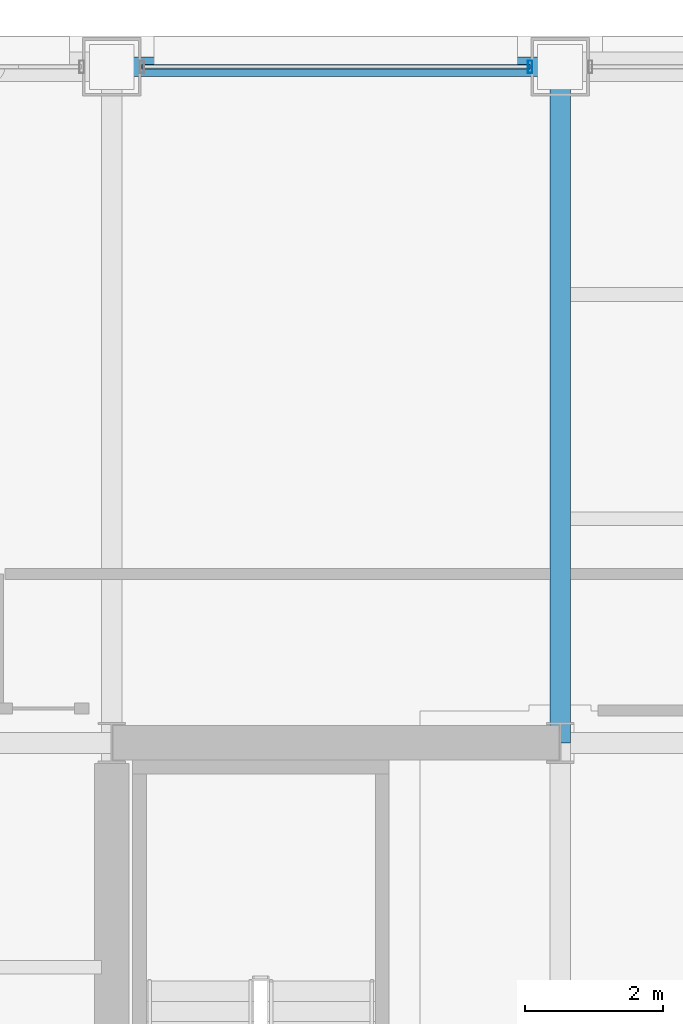
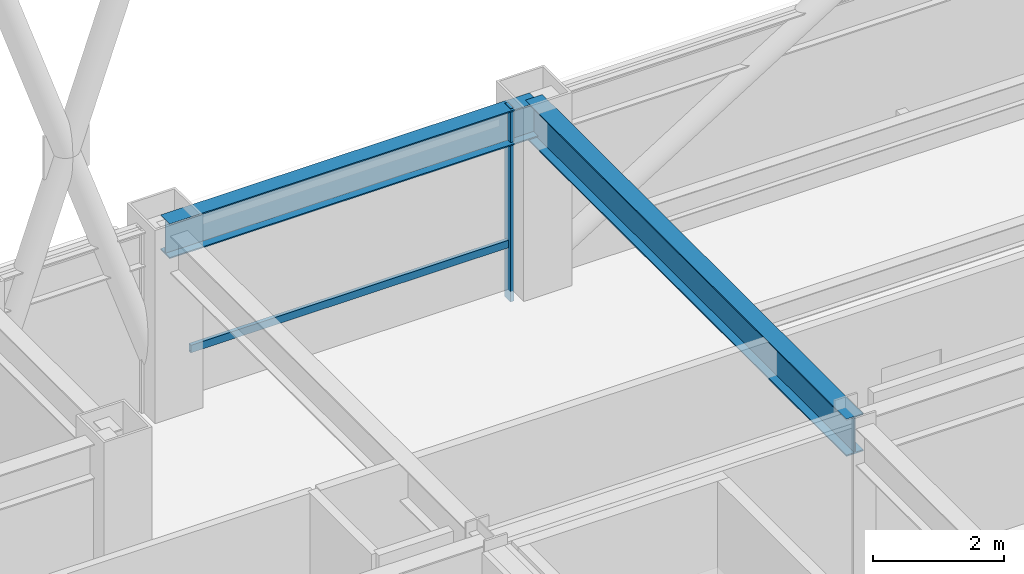
# One storey, part 21 of 34: 2 beams, 2 members, 1 element without a shape of its own.
"""IFC4 building model written with IfcOpenShell, lengths in metres."""

from ifc_helpers import new_model, si_unit, direction, frame, origin, origin_2d, place, context, subcontext, project, spatial, hollow_rectangle, i_section, extrude, material, layer, layer_set, material_profile, profile_set, type_object, element, aggregate, save


model = new_model("IFC4")

# Units and contexts
model_context = context("Model", 3, precision=1e-05, world=origin(), true_north=direction((0.0, 1.0)))
body_context = subcontext(model_context, "Body", "Model", "MODEL_VIEW")
ifc_project = project(units=[si_unit("LENGTHUNIT", "METRE"), si_unit("AREAUNIT", "SQUARE_METRE"), si_unit("VOLUMEUNIT", "CUBIC_METRE"), si_unit("PLANEANGLEUNIT", "RADIAN"), si_unit("MASSUNIT", "GRAM", prefix="KILO")], contexts=[model_context])

# Site, building, storey
site_placement = place(None, origin())
site = spatial("IfcSite", under=ifc_project, at=site_placement, CompositionType="ELEMENT")
building_placement = place(site_placement, origin())
building = spatial("IfcBuilding", under=site, at=building_placement, Name="Brelmoor Portico Tower", CompositionType="ELEMENT")
storey_placement = place(building_placement, frame((0.0, 0.0, 99.0)))
storey = spatial("IfcBuildingStorey", under=building, at=storey_placement, Name="L25", CompositionType="ELEMENT", Elevation=99.0)

# Beams
ifc_material_1 = material(Name="Steel Q355B", Category="steel")
ifc_material_profile_1 = material_profile(ifc_material_1, i_section(OverallWidth=0.300048828125, OverallDepth=0.699951171875, WebThickness=0.012939453125, FlangeThickness=0.02392578125, at=origin_2d()), Name="HN 700x300x13x24")
ifc_profile_set_1 = profile_set([ifc_material_profile_1], Name="Steel Q355B")
beam_type_1 = type_object("IfcBeamType", Name="BM-PG-700", PredefinedType="BEAM", material=ifc_profile_set_1)
beam_1_placement = place(storey_placement, frame((-8.050048828125, 9.75, 3.050048828125), z_axis=(0.0, 1.0, 0.0), x_axis=(-1.0, 0.0, 0.0)))
element("IfcBeam", 1, at=beam_1_placement, inside=storey, type_object=beam_type_1, Name="L25 Primary Floor Girder PG-07", PredefinedType="BEAM", context=body_context, shape_type="SweptSolid", body=[
    extrude(i_section(OverallWidth=0.300048828125, OverallDepth=0.699951171875, WebThickness=0.012939453125, FlangeThickness=0.02392578125, at=origin_2d()), origin(), (0.0, 0.0, 1.0), 9.800048828125),
])
ifc_material_profile_2 = material_profile(ifc_material_1, i_section(OverallWidth=0.280029296875, OverallDepth=0.64990234375, WebThickness=0.012939453125, FlangeThickness=0.02197265625, at=origin_2d()), Name="HN 650x280x13x22")
ifc_profile_set_2 = profile_set([ifc_material_profile_2], Name="Steel Q355B")
beam_type_2 = type_object("IfcBeamType", Name="BM-SP-650", PredefinedType="SPANDREL", material=ifc_profile_set_2)
beam_2_placement = place(storey_placement, frame((-14.550048828125, 19.550048828125, 3.074951171875), z_axis=(1.0, 0.0, 0.0), x_axis=(0.0, 1.0, 0.0)))
element("IfcBeam", 2, at=beam_2_placement, inside=storey, type_object=beam_type_2, Name="L25 Perimeter Spandrel Beam SP-11", PredefinedType="SPANDREL", context=body_context, shape_type="SweptSolid", body=[
    extrude(i_section(OverallWidth=0.280029296875, OverallDepth=0.64990234375, WebThickness=0.012939453125, FlangeThickness=0.02197265625, at=origin_2d()), origin(), (0.0, 0.0, 1.0), 6.5),
])

# Curtain wall, members
ifc_material_2 = material(Name="Anodised Aluminium Alloy 6063-T6", Category="aluminium")
ifc_layer = layer(ifc_material_2, 0.179931640625)
ifc_layer_set = layer_set([ifc_layer], Name="Anodised Aluminium Alloy 6063-T6")
curtain_wall_type = type_object("IfcCurtainWallType", Name="CW-TOWER-Z2", PredefinedType="NOTDEFINED", material=ifc_layer_set)
curtain_wall_placement = place(storey_placement, origin())
curtain_wall = element("IfcCurtainWall", 3, at=curtain_wall_placement, inside=storey, type_object=curtain_wall_type, Name="L25 Curtain Wall CW-L25-02-2", PredefinedType="NOTDEFINED")
ifc_material_profile_3 = material_profile(ifc_material_2, hollow_rectangle(XDim=0.06494140625, YDim=0.179931640625, WallThickness=0.00390625, at=origin_2d()), Name="ALU MULLION 65x180")
ifc_profile_set_3 = profile_set([ifc_material_profile_3], Name="Anodised Aluminium Alloy 6063-T6")
member_type_1 = type_object("IfcMemberType", Name="MB-CW-MULL-180", PredefinedType="MULLION", material=ifc_profile_set_3)
member_1_placement = place(storey_placement, frame((-8.485107421875, 19.550048828125, -0.199951171875), z_axis=(0.0, 0.0, 1.0), x_axis=(1.0, 0.0, 0.0)))
member_1 = element("IfcMember", 4, at=member_1_placement, type_object=member_type_1, Name="CW-L25-02-2 Mullion 01", PredefinedType="MULLION", context=body_context, shape_type="SweptSolid", body=[
    extrude(hollow_rectangle(XDim=0.06494140625, YDim=0.179931640625, WallThickness=0.00390625, at=origin_2d()), origin(), (0.0, 0.0, 1.0), 3.599853515625),
])
ifc_material_profile_4 = material_profile(ifc_material_2, hollow_rectangle(XDim=0.06494140625, YDim=0.139892578125, WallThickness=0.00390625, at=origin_2d()), Name="ALU TRANSOM 65x140")
ifc_profile_set_4 = profile_set([ifc_material_profile_4], Name="Anodised Aluminium Alloy 6063-T6")
member_type_2 = type_object("IfcMemberType", Name="MB-CW-TRAN-140", PredefinedType="USERDEFINED", material=ifc_profile_set_4)
member_2_placement = place(storey_placement, frame((-14.114990234375, 19.550048828125, 0.85009765625), z_axis=(1.0, 0.0, 0.0), x_axis=(0.0, 1.0, 0.0)))
member_2 = element("IfcMember", 5, at=member_2_placement, type_object=member_type_2, Name="CW-L25-02-2 Transom 1-00", ObjectType="TRANSOM", PredefinedType="USERDEFINED", context=body_context, shape_type="SweptSolid", body=[
    extrude(hollow_rectangle(XDim=0.06494140625, YDim=0.139892578125, WallThickness=0.00390625, at=origin_2d()), origin(), (0.0, 0.0, 1.0), 5.6298828125),
])
aggregate(curtain_wall, [member_1, member_2])

save(model, "model.ifc")
